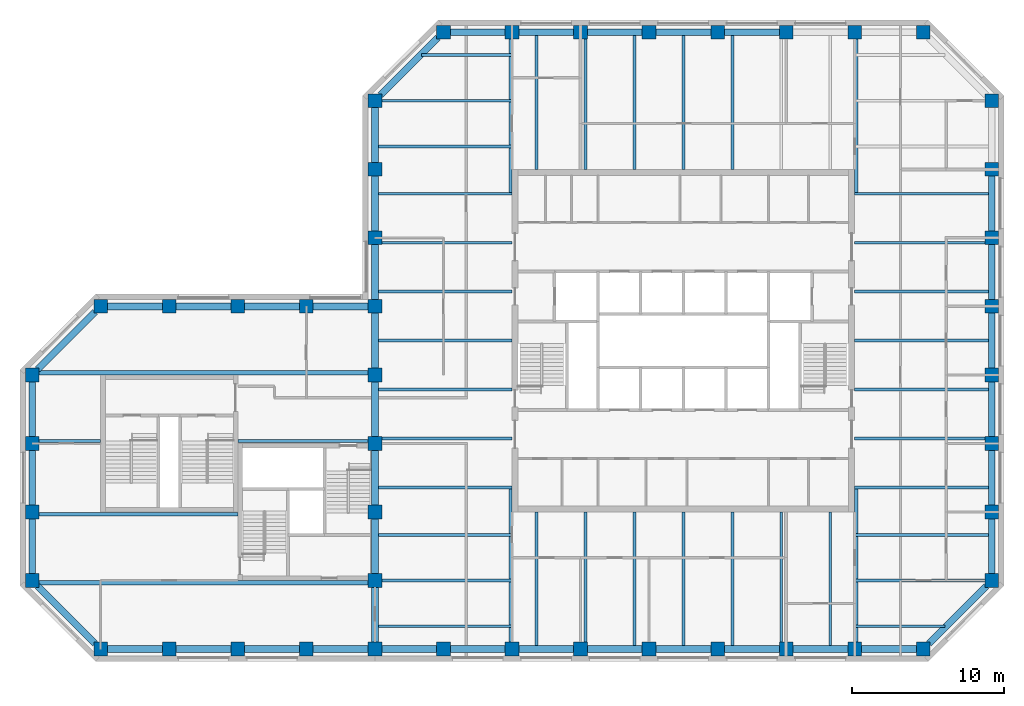
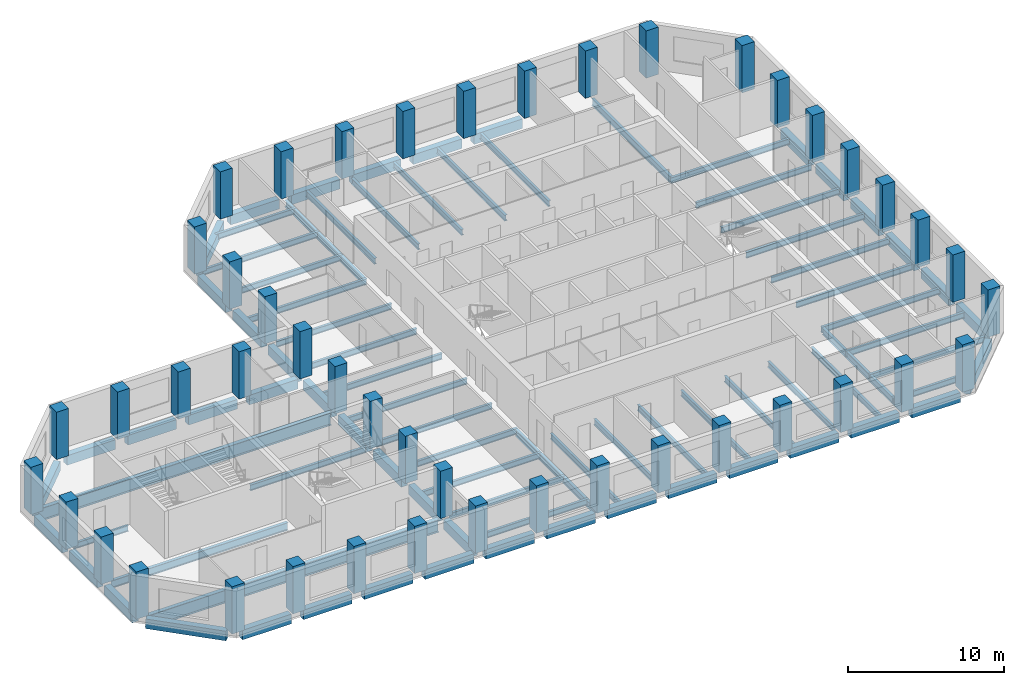
# One storey, part 1 of 9: 86 beams, 45 columns.
"""IFC4 building model written with IfcOpenShell, lengths in metres."""

import ifcopenshell
import ifcopenshell.guid

model = None  # the IFC model being written
_history = None  # IfcOwnerHistory: only IFC2X3 demands one
_inside = {}  # id of a spatial element -> (the spatial element, [elements in it])
_under = {}  # id of a project, library or spatial element -> (it, [spatial elements below it])
_declared = {}  # id of a project -> (the project, [libraries it declares])
_typed = {}  # id of a type object -> (the type object, [elements of that type])
_made_of = {}  # id of a material, layer set ... -> (it, [elements and type objects made of it])


def new_model(schema):
    """Start an empty IFC model of exactly this schema.

    Asked for "IFC4X3", IfcOpenShell would pick the latest addendum, in which some entities
    have other attributes; the version numbers below select the first issue.
    IFC2X3 requires an IfcOwnerHistory on every rooted entity: one is made here for all.
    """
    global model, _history
    if schema == "IFC4X3":
        model = ifcopenshell.file(schema_version=(4, 3, 0, 0))
    else:
        model = ifcopenshell.file(schema=schema)
    _inside.clear()
    _under.clear()
    _declared.clear()
    _typed.clear()
    _made_of.clear()
    _history = None
    if model.schema == "IFC2X3":
        org = make("IfcOrganization", Name="unknown")
        user = make(
            "IfcPersonAndOrganization",
            ThePerson=make("IfcPerson", FamilyName="unknown"),
            TheOrganization=org,
        )
        app = make(
            "IfcApplication",
            ApplicationDeveloper=org,
            Version="unknown",
            ApplicationFullName="unknown",
            ApplicationIdentifier="unknown",
        )
        _history = make(
            "IfcOwnerHistory",
            OwningUser=user,
            OwningApplication=app,
            ChangeAction="ADDED",
            CreationDate=0,
        )
    return model


def make(cls, **values):
    """One entity of the class cls with the attributes given. An attribute that is None is left unset."""
    return model.create_entity(
        cls, **{name: value for name, value in values.items() if value is not None}
    )


def rooted(cls, **values):
    """An entity with a GlobalId (a new one), such as an element, a storey or a relation."""
    return make(cls, GlobalId=ifcopenshell.guid.new(), OwnerHistory=_history, **values)


def si_unit(unit_type, name, prefix=None):
    """IfcSIUnit, for example si_unit("LENGTHUNIT", "METRE", prefix="MILLI")."""
    return make("IfcSIUnit", UnitType=unit_type, Prefix=prefix, Name=name)


def assignment(units):
    """IfcUnitAssignment: the units of a project."""
    return None if units is None else make("IfcUnitAssignment", Units=units)


def point(xyz):
    """IfcCartesianPoint."""
    return None if xyz is None else make("IfcCartesianPoint", Coordinates=xyz)


def direction(xyz):
    """IfcDirection."""
    return None if xyz is None else make("IfcDirection", DirectionRatios=xyz)


def frame(location, z_axis=None, x_axis=None):
    """IfcAxis2Placement3D, a coordinate frame: its origin and axes. An axis left out is left unset."""
    return make(
        "IfcAxis2Placement3D",
        Location=point(location),
        Axis=direction(z_axis),
        RefDirection=direction(x_axis),
    )


def frame_2d(location, x_axis=None):
    """IfcAxis2Placement2D, a coordinate frame in the plane: its origin and x axis."""
    return make(
        "IfcAxis2Placement2D", Location=point(location), RefDirection=direction(x_axis)
    )


def origin():
    """The frame at (0, 0, 0) with its axes left unset."""
    return frame((0.0, 0.0, 0.0))


def origin_2d():
    """The frame at (0, 0) in the plane with its x axis left unset."""
    return frame_2d((0.0, 0.0))


def place(relative_to, where):
    """IfcLocalPlacement: puts the frame where relative to a parent placement (None: the world)."""
    return make(
        "IfcLocalPlacement", PlacementRelTo=relative_to, RelativePlacement=where
    )


def context(
    kind, dimensions, precision=None, world=None, true_north=None, identifier=None
):
    """IfcGeometricRepresentationContext, for example the 3D "Model" context."""
    return make(
        "IfcGeometricRepresentationContext",
        ContextIdentifier=identifier,
        ContextType=kind,
        CoordinateSpaceDimension=dimensions,
        Precision=precision,
        WorldCoordinateSystem=world,
        TrueNorth=true_north,
    )


def subcontext(parent, identifier, kind, view, scale=None):
    """IfcGeometricRepresentationSubContext, for example "Body" below "Model"."""
    return make(
        "IfcGeometricRepresentationSubContext",
        ContextIdentifier=identifier,
        ContextType=kind,
        ParentContext=parent,
        TargetScale=scale,
        TargetView=view,
    )


def project(units=None, contexts=None):
    """IfcProject with its units and contexts."""
    return rooted(
        "IfcProject",
        Name="project",
        RepresentationContexts=contexts,
        UnitsInContext=assignment(units),
    )


def spatial(cls, under=None, at=None, **own):
    """A site, building, storey or space (cls), placed at a placement, below another one or the project."""
    s = rooted(cls, ObjectPlacement=at, **own)
    if under is not None:
        _under.setdefault(under.id(), (under, []))[1].append(s)
    return s


def profile(cls, at=None, kind="AREA", **sizes):
    """A parametric profile (cls). Its sizes go by their IFC names, for example OverallWidth=200.0."""
    return make(cls, ProfileType=kind, Position=at, **sizes)


def rectangle(**sizes):
    """IfcRectangleProfileDef."""
    return profile("IfcRectangleProfileDef", **sizes)


def i_section(**sizes):
    """IfcIShapeProfileDef."""
    return profile("IfcIShapeProfileDef", **sizes)


def extrude(swept, where, along, depth):
    """IfcExtrudedAreaSolid: the profile swept, set in the frame where, extruded along a direction by depth."""
    return make(
        "IfcExtrudedAreaSolid",
        SweptArea=swept,
        Position=where,
        ExtrudedDirection=direction(along),
        Depth=depth,
    )


def shape(context_of_items, identifier, shape_type, items):
    """IfcShapeRepresentation: the items that make up one representation, for example the "Body"."""
    return make(
        "IfcShapeRepresentation",
        ContextOfItems=context_of_items,
        RepresentationIdentifier=identifier,
        RepresentationType=shape_type,
        Items=items,
    )


def material(Name=None, Category=None):
    """IfcMaterial."""
    return make("IfcMaterial", Name=Name, Category=Category)


def material_profile(
    of_material, cross_section, Name=None, Category=None, Priority=None
):
    """IfcMaterialProfile: a cross section and its material."""
    return make(
        "IfcMaterialProfile",
        Name=Name,
        Material=of_material,
        Profile=cross_section,
        Priority=Priority,
        Category=Category,
    )


def profile_set(profiles, Name=None, composite=None):
    """IfcMaterialProfileSet."""
    return make(
        "IfcMaterialProfileSet",
        Name=Name,
        MaterialProfiles=profiles,
        CompositeProfile=composite,
    )


def made_of(thing, what):
    """Note that an element or type object is made of a material, layer set ...; save() writes the relation."""
    if what is not None:
        _made_of.setdefault(what.id(), (what, []))[1].append(thing)
    return thing


def type_object(cls, material=None, **own):
    """A type object (cls), such as IfcWallType, which elements share."""
    return made_of(rooted(cls, **own), material)


def element(
    cls,
    number,
    at=None,
    inside=None,
    cuts=None,
    type_object=None,
    material=None,
    context=None,
    identifier="Body",
    shape_type=None,
    held_by="IfcProductDefinitionShape",
    body=None,
    shapes=None,
    **own,
):
    """One element of the class cls, such as IfcWall. Its Tag is "e" and its number.

    at: its placement. inside: the storey or other place that contains it. cuts: it is an
    opening in that element (IfcRelVoidsElement). A single representation is given by context,
    identifier, shape_type and body (its items); several are given by shapes. held_by: the class
    of the entity that holds the representations. save() writes the other relations.
    """
    e = rooted(cls, Tag="e%d" % number, ObjectPlacement=at, **own)
    if body is not None:
        shapes = [shape(context, identifier, shape_type, body)]
    if shapes is not None:
        e.Representation = make(held_by, Representations=shapes)
    if inside is not None:
        _inside.setdefault(inside.id(), (inside, []))[1].append(e)
    if cuts is not None:
        rooted(
            "IfcRelVoidsElement", RelatingBuildingElement=cuts, RelatedOpeningElement=e
        )
    if type_object is not None:
        _typed.setdefault(type_object.id(), (type_object, []))[1].append(e)
    return made_of(e, material)


def aggregate(whole, parts):
    """IfcRelAggregates: a whole, such as a stair, and the parts it consists of."""
    return rooted("IfcRelAggregates", RelatingObject=whole, RelatedObjects=parts)


def save(model, path):
    """Write the relations noted so far, then the file.

    IfcRelAggregates (storeys below a building ...), IfcRelContainedInSpatialStructure (elements
    in a storey), IfcRelDefinesByType, IfcRelAssociatesMaterial and IfcRelDeclares: one each for
    every whole, place, type object, material and project.
    """
    for whole, parts in _under.values():
        aggregate(whole, parts)
    for where, things in _inside.values():
        rooted(
            "IfcRelContainedInSpatialStructure",
            RelatedElements=things,
            RelatingStructure=where,
        )
    for kind, things in _typed.values():
        rooted("IfcRelDefinesByType", RelatedObjects=things, RelatingType=kind)
    for what, things in _made_of.values():
        rooted("IfcRelAssociatesMaterial", RelatedObjects=things, RelatingMaterial=what)
    for by, libraries in _declared.values():
        rooted("IfcRelDeclares", RelatingContext=by, RelatedDefinitions=libraries)
    model.write(path)


model = new_model("IFC4")

# Units and contexts
model_context = context("Model", 3, precision=1e-05, world=origin(), true_north=direction((0.0, 1.0)))
body_context = subcontext(model_context, "Body", "Model", "MODEL_VIEW")
ifc_project = project(units=[si_unit("LENGTHUNIT", "METRE"), si_unit("AREAUNIT", "SQUARE_METRE"), si_unit("VOLUMEUNIT", "CUBIC_METRE"), si_unit("PLANEANGLEUNIT", "RADIAN"), si_unit("MASSUNIT", "GRAM", prefix="KILO")], contexts=[model_context])

# Site, building, storey
site_placement = place(None, origin())
site = spatial("IfcSite", under=ifc_project, at=site_placement, CompositionType="ELEMENT")
building_placement = place(site_placement, origin())
building = spatial("IfcBuilding", under=site, at=building_placement, Name="Quoin Convention Tower", CompositionType="ELEMENT")
storey_placement = place(building_placement, frame((0.0, 0.0, 181.0)))
storey = spatial("IfcBuildingStorey", under=building, at=storey_placement, Name="L47", CompositionType="ELEMENT", Elevation=181.0)

# Columns
ifc_material_1 = material(Name="Concrete C50", Category="concrete")
ifc_material_profile_1 = material_profile(ifc_material_1, rectangle(XDim=0.89990234375, YDim=0.89990234375, at=origin_2d()), Name="RC 900x900")
ifc_profile_set_1 = profile_set([ifc_material_profile_1], Name="Concrete C50")
column_type = type_object("IfcColumnType", Name="RC 900x900 C50", PredefinedType="COLUMN", material=ifc_profile_set_1)
for number, where, z_axis, x_axis, name in (
    (1, (18.0, 40.5, 0.0), (0.0, 0.0, 1.0), (1.0, 0.0, 0.0), "col-L47-18000_40500"),
    (2, (22.5, 40.5, 0.0), (0.0, 0.0, 1.0), (1.0, 0.0, 0.0), "col-L47-22500_40500"),
    (3, (27.0, 40.5, 0.0), (0.0, 0.0, 1.0), (1.0, 0.0, 0.0), "col-L47-27000_40500"),
    (4, (31.5, 40.5, 0.0), (0.0, 0.0, 1.0), (1.0, 0.0, 0.0), "col-L47-31500_40500"),
    (5, (36.0, 40.5, 0.0), (0.0, 0.0, 1.0), (1.0, 0.0, 0.0), "col-L47-36000_40500"),
    (6, (40.5, 40.5, 0.0), (0.0, 0.0, 1.0), (1.0, 0.0, 0.0), "col-L47-40500_40500"),
    (7, (45.0, 40.5, 0.0), (0.0, 0.0, 1.0), (1.0, 0.0, 0.0), "col-L47-45000_40500"),
    (8, (49.5, 40.5, 0.0), (0.0, 0.0, 1.0), (1.0, 0.0, 0.0), "col-L47-49500_40500"),
    (9, (54.0, 40.5, 0.0), (0.0, 0.0, 1.0), (1.0, 0.0, 0.0), "col-L47-54000_40500"),
    (10, (58.5, 40.5, 0.0), (0.0, 0.0, 1.0), (1.0, 0.0, 0.0), "col-L47-58500_40500"),
    (11, (63.0, 40.5, 0.0), (0.0, 0.0, 1.0), (1.0, 0.0, 0.0), "col-L47-63000_40500"),
    (12, (67.5, 40.5, 0.0), (0.0, 0.0, 1.0), (1.0, 0.0, 0.0), "col-L47-67500_40500"),
    (13, (72.0, 40.5, 0.0), (0.0, 0.0, 1.0), (1.0, 0.0, 0.0), "col-L47-72000_40500"),
    (14, (13.5, 45.0, 0.0), (0.0, 0.0, 1.0), (1.0, 0.0, 0.0), "col-L47-13500_45000"),
    (15, (36.0, 45.0, 0.0), (0.0, 0.0, 1.0), (1.0, 0.0, 0.0), "web-L47-36000_45000"),
    (16, (76.5, 45.0, 0.0), (0.0, 0.0, 1.0), (1.0, 0.0, 0.0), "col-L47-76500_45000"),
    (17, (13.5, 49.5, 0.0), (0.0, 0.0, 1.0), (1.0, 0.0, 0.0), "col-L47-13500_49500"),
    (18, (36.0, 49.5, 0.0), (0.0, 0.0, 1.0), (1.0, 0.0, 0.0), "web-L47-36000_49500"),
    (19, (76.5, 49.5, 0.0), (0.0, 0.0, 1.0), (1.0, 0.0, 0.0), "col-L47-76500_49500"),
    (20, (13.5, 54.0, 0.0), (0.0, 0.0, 1.0), (1.0, 0.0, 0.0), "col-L47-13500_54000"),
    (21, (36.0, 54.0, 0.0), (0.0, 0.0, 1.0), (1.0, 0.0, 0.0), "web-L47-36000_54000"),
    (22, (76.5, 54.0, 0.0), (0.0, 0.0, 1.0), (1.0, 0.0, 0.0), "col-L47-76500_54000"),
    (23, (13.5, 58.5, 0.0), (0.0, 0.0, 1.0), (1.0, 0.0, 0.0), "col-L47-13500_58500"),
    (24, (36.0, 58.5, 0.0), (0.0, 0.0, 1.0), (1.0, 0.0, 0.0), "web-L47-36000_58500"),
    (25, (76.5, 58.5, 0.0), (0.0, 0.0, 1.0), (1.0, 0.0, 0.0), "col-L47-76500_58500"),
    (26, (18.0, 63.0, 0.0), (0.0, 0.0, 1.0), (1.0, 0.0, 0.0), "col-L47-18000_63000"),
    (27, (22.5, 63.0, 0.0), (0.0, 0.0, 1.0), (1.0, 0.0, 0.0), "col-L47-22500_63000"),
    (28, (27.0, 63.0, 0.0), (0.0, 0.0, 1.0), (1.0, 0.0, 0.0), "col-L47-27000_63000"),
    (29, (31.5, 63.0, 0.0), (0.0, 0.0, 1.0), (1.0, 0.0, 0.0), "col-L47-31500_63000"),
    (30, (36.0, 63.0, 0.0), (0.0, 0.0, 1.0), (1.0, 0.0, 0.0), "col-L47-36000_63000"),
    (31, (76.5, 63.0, 0.0), (0.0, 0.0, 1.0), (1.0, 0.0, 0.0), "col-L47-76500_63000"),
    (32, (36.0, 67.5, 0.0), (0.0, 0.0, 1.0), (1.0, 0.0, 0.0), "col-L47-36000_67500"),
    (33, (76.5, 67.5, 0.0), (0.0, 0.0, 1.0), (1.0, 0.0, 0.0), "col-L47-76500_67500"),
    (34, (36.0, 72.0, 0.0), (0.0, 0.0, 1.0), (1.0, 0.0, 0.0), "col-L47-36000_72000"),
    (35, (76.5, 72.0, 0.0), (0.0, 0.0, 1.0), (1.0, 0.0, 0.0), "col-L47-76500_72000"),
    (36, (36.0, 76.5, 0.0), (0.0, 0.0, 1.0), (1.0, 0.0, 0.0), "col-L47-36000_76500"),
    (37, (76.5, 76.5, 0.0), (0.0, 0.0, 1.0), (1.0, 0.0, 0.0), "col-L47-76500_76500"),
    (38, (40.5, 81.0, 0.0), (0.0, 0.0, 1.0), (1.0, 0.0, 0.0), "col-L47-40500_81000"),
    (39, (45.0, 81.0, 0.0), (0.0, 0.0, 1.0), (1.0, 0.0, 0.0), "col-L47-45000_81000"),
    (40, (49.5, 81.0, 0.0), (0.0, 0.0, 1.0), (1.0, 0.0, 0.0), "col-L47-49500_81000"),
    (41, (54.0, 81.0, 0.0), (0.0, 0.0, 1.0), (1.0, 0.0, 0.0), "col-L47-54000_81000"),
    (42, (58.5, 81.0, 0.0), (0.0, 0.0, 1.0), (1.0, 0.0, 0.0), "col-L47-58500_81000"),
    (43, (63.0, 81.0, 0.0), (0.0, 0.0, 1.0), (1.0, 0.0, 0.0), "col-L47-63000_81000"),
    (44, (67.5, 81.0, 0.0), (0.0, 0.0, 1.0), (1.0, 0.0, 0.0), "col-L47-67500_81000"),
    (45, (72.0, 81.0, 0.0), (0.0, 0.0, 1.0), (1.0, 0.0, 0.0), "col-L47-72000_81000"),
):
    element("IfcColumn", number, at=place(storey_placement, frame(where, z_axis=z_axis, x_axis=x_axis)), inside=storey, type_object=column_type, Name=name, PredefinedType="COLUMN", context=body_context, shape_type="SweptSolid", body=[
        extrude(rectangle(XDim=0.89990234375, YDim=0.89990234375, at=origin_2d()), origin(), (0.0, 0.0, 1.0), 3.699951171875),
    ])

# Beams
ifc_material_2 = material(Name="Steel Grade 300", Category="steel")
ifc_material_profile_2 = material_profile(ifc_material_2, i_section(OverallWidth=0.300048828125, OverallDepth=1.0, WebThickness=0.01611328125, FlangeThickness=0.02001953125, at=origin_2d()), Name="1000WB215")
ifc_profile_set_2 = profile_set([ifc_material_profile_2], Name="Steel Grade 300")
beam_type_1 = type_object("IfcBeamType", Name="1000WB215", PredefinedType="BEAM", material=ifc_profile_set_2)
for number, where, z_axis, x_axis, name in (
    (46, (13.949951171875, 44.85009765625, -0.64990234375), (1.0, 0.0, 0.0), (0.0, 1.0, 0.0), "gir-L47-ST2-1-0"),
    (47, (13.949951171875, 58.64990234375, -0.64990234375), (1.0, 0.0, 0.0), (0.0, 1.0, 0.0), "gir-L47-ST2-4-0"),
):
    element("IfcBeam", number, at=place(storey_placement, frame(where, z_axis=z_axis, x_axis=x_axis)), inside=storey, type_object=beam_type_1, Name=name, PredefinedType="BEAM", context=body_context, shape_type="SweptSolid", body=[
        extrude(i_section(OverallWidth=0.300048828125, OverallDepth=1.0, WebThickness=0.01611328125, FlangeThickness=0.02001953125, at=origin_2d()), origin(), (0.0, 0.0, 1.0), 21.60009765625),
    ])
ifc_material_profile_3 = material_profile(ifc_material_2, i_section(OverallWidth=0.18994140625, OverallDepth=0.4541015625, WebThickness=0.008544921875, FlangeThickness=0.0126953125, FilletRadius=0.011474609375, at=origin_2d()), Name="460UB67.1")
ifc_profile_set_3 = profile_set([ifc_material_profile_3], Name="Steel Grade 300")
beam_type_2 = type_object("IfcBeamType", Name="460UB67.1", PredefinedType="BEAM", material=ifc_profile_set_3)
beam_1_placement = place(storey_placement, frame((36.22509765625, 51.107177734375, -0.376953125), z_axis=(1.0, 0.0, 0.0), x_axis=(0.0, 1.0, 0.0)))
element("IfcBeam", 48, at=beam_1_placement, inside=storey, type_object=beam_type_2, Name="bm-L47-T1W0", PredefinedType="BEAM", context=body_context, shape_type="SweptSolid", body=[
    extrude(i_section(OverallWidth=0.18994140625, OverallDepth=0.4541015625, WebThickness=0.008544921875, FlangeThickness=0.0126953125, FilletRadius=0.011474609375, at=origin_2d()), origin(), (0.0, 0.0, 1.0), 8.77490234375),
])
beam_2_placement = place(storey_placement, frame((36.449951171875, 54.3212890625, -0.376953125), z_axis=(1.0, 0.0, 0.0), x_axis=(0.0, 1.0, 0.0)))
element("IfcBeam", 49, at=beam_2_placement, inside=storey, type_object=beam_type_2, Name="bm-L47-T1W1", PredefinedType="BEAM", context=body_context, shape_type="SweptSolid", body=[
    extrude(i_section(OverallWidth=0.18994140625, OverallDepth=0.4541015625, WebThickness=0.008544921875, FlangeThickness=0.0126953125, FilletRadius=0.011474609375, at=origin_2d()), origin(), (0.0, 0.0, 1.0), 8.550048828125),
])
for number, where, z_axis, x_axis, name in (
    (50, (36.22509765625, 57.53564453125, -0.376953125), (1.0, 0.0, 0.0), (0.0, 1.0, 0.0), "bm-L47-T1W2"),
    (51, (36.22509765625, 60.75, -0.376953125), (1.0, 0.0, 0.0), (0.0, 1.0, 0.0), "bm-L47-T1W3"),
    (52, (36.22509765625, 63.96435546875, -0.376953125), (1.0, 0.0, 0.0), (0.0, 1.0, 0.0), "bm-L47-T1W4"),
):
    element("IfcBeam", number, at=place(storey_placement, frame(where, z_axis=z_axis, x_axis=x_axis)), inside=storey, type_object=beam_type_2, Name=name, PredefinedType="BEAM", context=body_context, shape_type="SweptSolid", body=[
        extrude(i_section(OverallWidth=0.18994140625, OverallDepth=0.4541015625, WebThickness=0.008544921875, FlangeThickness=0.0126953125, FilletRadius=0.011474609375, at=origin_2d()), origin(), (0.0, 0.0, 1.0), 8.77490234375),
    ])
beam_3_placement = place(storey_placement, frame((36.449951171875, 67.1787109375, -0.376953125), z_axis=(1.0, 0.0, 0.0), x_axis=(0.0, 1.0, 0.0)))
element("IfcBeam", 53, at=beam_3_placement, inside=storey, type_object=beam_type_2, Name="bm-L47-T1W5", PredefinedType="BEAM", context=body_context, shape_type="SweptSolid", body=[
    extrude(i_section(OverallWidth=0.18994140625, OverallDepth=0.4541015625, WebThickness=0.008544921875, FlangeThickness=0.0126953125, FilletRadius=0.011474609375, at=origin_2d()), origin(), (0.0, 0.0, 1.0), 8.550048828125),
])
for number, where, z_axis, x_axis, name in (
    (54, (36.22509765625, 70.392822265625, -0.376953125), (1.0, 0.0, 0.0), (0.0, 1.0, 0.0), "bm-L47-T1W6"),
    (55, (67.5, 51.107177734375, -0.376953125), (1.0, 0.0, 0.0), (0.0, 1.0, 0.0), "bm-L47-T1E0"),
):
    element("IfcBeam", number, at=place(storey_placement, frame(where, z_axis=z_axis, x_axis=x_axis)), inside=storey, type_object=beam_type_2, Name=name, PredefinedType="BEAM", context=body_context, shape_type="SweptSolid", body=[
        extrude(i_section(OverallWidth=0.18994140625, OverallDepth=0.4541015625, WebThickness=0.008544921875, FlangeThickness=0.0126953125, FilletRadius=0.011474609375, at=origin_2d()), origin(), (0.0, 0.0, 1.0), 8.77490234375),
    ])
beam_4_placement = place(storey_placement, frame((67.5, 54.3212890625, -0.376953125), z_axis=(1.0, 0.0, 0.0), x_axis=(0.0, 1.0, 0.0)))
element("IfcBeam", 56, at=beam_4_placement, inside=storey, type_object=beam_type_2, Name="bm-L47-T1E1", PredefinedType="BEAM", context=body_context, shape_type="SweptSolid", body=[
    extrude(i_section(OverallWidth=0.18994140625, OverallDepth=0.4541015625, WebThickness=0.008544921875, FlangeThickness=0.0126953125, FilletRadius=0.011474609375, at=origin_2d()), origin(), (0.0, 0.0, 1.0), 8.550048828125),
])
for number, where, z_axis, x_axis, name in (
    (57, (67.5, 57.53564453125, -0.376953125), (1.0, 0.0, 0.0), (0.0, 1.0, 0.0), "bm-L47-T1E2"),
    (58, (67.5, 60.75, -0.376953125), (1.0, 0.0, 0.0), (0.0, 1.0, 0.0), "bm-L47-T1E3"),
    (59, (67.5, 63.96435546875, -0.376953125), (1.0, 0.0, 0.0), (0.0, 1.0, 0.0), "bm-L47-T1E4"),
):
    element("IfcBeam", number, at=place(storey_placement, frame(where, z_axis=z_axis, x_axis=x_axis)), inside=storey, type_object=beam_type_2, Name=name, PredefinedType="BEAM", context=body_context, shape_type="SweptSolid", body=[
        extrude(i_section(OverallWidth=0.18994140625, OverallDepth=0.4541015625, WebThickness=0.008544921875, FlangeThickness=0.0126953125, FilletRadius=0.011474609375, at=origin_2d()), origin(), (0.0, 0.0, 1.0), 8.77490234375),
    ])
beam_5_placement = place(storey_placement, frame((67.5, 67.1787109375, -0.376953125), z_axis=(1.0, 0.0, 0.0), x_axis=(0.0, 1.0, 0.0)))
element("IfcBeam", 60, at=beam_5_placement, inside=storey, type_object=beam_type_2, Name="bm-L47-T1E5", PredefinedType="BEAM", context=body_context, shape_type="SweptSolid", body=[
    extrude(i_section(OverallWidth=0.18994140625, OverallDepth=0.4541015625, WebThickness=0.008544921875, FlangeThickness=0.0126953125, FilletRadius=0.011474609375, at=origin_2d()), origin(), (0.0, 0.0, 1.0), 8.550048828125),
])
for number, where, z_axis, x_axis, name in (
    (61, (67.5, 70.392822265625, -0.376953125), (1.0, 0.0, 0.0), (0.0, 1.0, 0.0), "bm-L47-T1E6"),
    (62, (46.607177734375, 40.72509765625, -0.376953125), (0.0, 1.0, 0.0), (-1.0, 0.0, 0.0), "bm-L47-T1S0"),
):
    element("IfcBeam", number, at=place(storey_placement, frame(where, z_axis=z_axis, x_axis=x_axis)), inside=storey, type_object=beam_type_2, Name=name, PredefinedType="BEAM", context=body_context, shape_type="SweptSolid", body=[
        extrude(i_section(OverallWidth=0.18994140625, OverallDepth=0.4541015625, WebThickness=0.008544921875, FlangeThickness=0.0126953125, FilletRadius=0.011474609375, at=origin_2d()), origin(), (0.0, 0.0, 1.0), 8.77490234375),
    ])
beam_6_placement = place(storey_placement, frame((49.8212890625, 40.949951171875, -0.376953125), z_axis=(0.0, 1.0, 0.0), x_axis=(-1.0, 0.0, 0.0)))
element("IfcBeam", 63, at=beam_6_placement, inside=storey, type_object=beam_type_2, Name="bm-L47-T1S1", PredefinedType="BEAM", context=body_context, shape_type="SweptSolid", body=[
    extrude(i_section(OverallWidth=0.18994140625, OverallDepth=0.4541015625, WebThickness=0.008544921875, FlangeThickness=0.0126953125, FilletRadius=0.011474609375, at=origin_2d()), origin(), (0.0, 0.0, 1.0), 8.550048828125),
])
for number, where, z_axis, x_axis, name in (
    (64, (53.03564453125, 40.72509765625, -0.376953125), (0.0, 1.0, 0.0), (-1.0, 0.0, 0.0), "bm-L47-T1S2"),
    (65, (56.25, 40.72509765625, -0.376953125), (0.0, 1.0, 0.0), (-1.0, 0.0, 0.0), "bm-L47-T1S3"),
    (66, (59.46435546875, 40.72509765625, -0.376953125), (0.0, 1.0, 0.0), (-1.0, 0.0, 0.0), "bm-L47-T1S4"),
):
    element("IfcBeam", number, at=place(storey_placement, frame(where, z_axis=z_axis, x_axis=x_axis)), inside=storey, type_object=beam_type_2, Name=name, PredefinedType="BEAM", context=body_context, shape_type="SweptSolid", body=[
        extrude(i_section(OverallWidth=0.18994140625, OverallDepth=0.4541015625, WebThickness=0.008544921875, FlangeThickness=0.0126953125, FilletRadius=0.011474609375, at=origin_2d()), origin(), (0.0, 0.0, 1.0), 8.77490234375),
    ])
beam_7_placement = place(storey_placement, frame((62.6787109375, 40.949951171875, -0.376953125), z_axis=(0.0, 1.0, 0.0), x_axis=(-1.0, 0.0, 0.0)))
element("IfcBeam", 67, at=beam_7_placement, inside=storey, type_object=beam_type_2, Name="bm-L47-T1S5", PredefinedType="BEAM", context=body_context, shape_type="SweptSolid", body=[
    extrude(i_section(OverallWidth=0.18994140625, OverallDepth=0.4541015625, WebThickness=0.008544921875, FlangeThickness=0.0126953125, FilletRadius=0.011474609375, at=origin_2d()), origin(), (0.0, 0.0, 1.0), 8.550048828125),
])
for number, where, z_axis, x_axis, name in (
    (68, (65.892822265625, 40.72509765625, -0.376953125), (0.0, 1.0, 0.0), (-1.0, 0.0, 0.0), "bm-L47-T1S6"),
    (69, (46.607177734375, 72.0, -0.376953125), (0.0, 1.0, 0.0), (-1.0, 0.0, 0.0), "bm-L47-T1N0"),
):
    element("IfcBeam", number, at=place(storey_placement, frame(where, z_axis=z_axis, x_axis=x_axis)), inside=storey, type_object=beam_type_2, Name=name, PredefinedType="BEAM", context=body_context, shape_type="SweptSolid", body=[
        extrude(i_section(OverallWidth=0.18994140625, OverallDepth=0.4541015625, WebThickness=0.008544921875, FlangeThickness=0.0126953125, FilletRadius=0.011474609375, at=origin_2d()), origin(), (0.0, 0.0, 1.0), 8.77490234375),
    ])
beam_8_placement = place(storey_placement, frame((49.8212890625, 72.0, -0.376953125), z_axis=(0.0, 1.0, 0.0), x_axis=(-1.0, 0.0, 0.0)))
element("IfcBeam", 70, at=beam_8_placement, inside=storey, type_object=beam_type_2, Name="bm-L47-T1N1", PredefinedType="BEAM", context=body_context, shape_type="SweptSolid", body=[
    extrude(i_section(OverallWidth=0.18994140625, OverallDepth=0.4541015625, WebThickness=0.008544921875, FlangeThickness=0.0126953125, FilletRadius=0.011474609375, at=origin_2d()), origin(), (0.0, 0.0, 1.0), 8.550048828125),
])
for number, where, z_axis, x_axis, name in (
    (71, (53.03564453125, 72.0, -0.376953125), (0.0, 1.0, 0.0), (-1.0, 0.0, 0.0), "bm-L47-T1N2"),
    (72, (56.25, 72.0, -0.376953125), (0.0, 1.0, 0.0), (-1.0, 0.0, 0.0), "bm-L47-T1N3"),
    (73, (59.46435546875, 72.0, -0.376953125), (0.0, 1.0, 0.0), (-1.0, 0.0, 0.0), "bm-L47-T1N4"),
    (74, (36.22509765625, 42.0, -0.376953125), (1.0, 0.0, 0.0), (0.0, 1.0, 0.0), "bm-L47-T1SW0"),
):
    element("IfcBeam", number, at=place(storey_placement, frame(where, z_axis=z_axis, x_axis=x_axis)), inside=storey, type_object=beam_type_2, Name=name, PredefinedType="BEAM", context=body_context, shape_type="SweptSolid", body=[
        extrude(i_section(OverallWidth=0.18994140625, OverallDepth=0.4541015625, WebThickness=0.008544921875, FlangeThickness=0.0126953125, FilletRadius=0.011474609375, at=origin_2d()), origin(), (0.0, 0.0, 1.0), 8.77490234375),
    ])
beam_9_placement = place(storey_placement, frame((36.449951171875, 45.0, -0.376953125), z_axis=(1.0, 0.0, 0.0), x_axis=(0.0, 1.0, 0.0)))
element("IfcBeam", 75, at=beam_9_placement, inside=storey, type_object=beam_type_2, Name="bm-L47-T1SW1", PredefinedType="BEAM", context=body_context, shape_type="SweptSolid", body=[
    extrude(i_section(OverallWidth=0.18994140625, OverallDepth=0.4541015625, WebThickness=0.008544921875, FlangeThickness=0.0126953125, FilletRadius=0.011474609375, at=origin_2d()), origin(), (0.0, 0.0, 1.0), 8.550048828125),
])
beam_10_placement = place(storey_placement, frame((36.22509765625, 48.0, -0.376953125), z_axis=(1.0, 0.0, 0.0), x_axis=(0.0, 1.0, 0.0)))
element("IfcBeam", 76, at=beam_10_placement, inside=storey, type_object=beam_type_2, Name="bm-L47-T1SW2", PredefinedType="BEAM", context=body_context, shape_type="SweptSolid", body=[
    extrude(i_section(OverallWidth=0.18994140625, OverallDepth=0.4541015625, WebThickness=0.008544921875, FlangeThickness=0.0126953125, FilletRadius=0.011474609375, at=origin_2d()), origin(), (0.0, 0.0, 1.0), 8.77490234375),
])
beam_11_placement = place(storey_placement, frame((67.5, 42.0, -0.376953125), z_axis=(1.0, 0.0, 0.0), x_axis=(0.0, 1.0, 0.0)))
element("IfcBeam", 77, at=beam_11_placement, inside=storey, type_object=beam_type_2, Name="bm-L47-T1SE0", PredefinedType="BEAM", context=body_context, shape_type="SweptSolid", body=[
    extrude(i_section(OverallWidth=0.18994140625, OverallDepth=0.4541015625, WebThickness=0.008544921875, FlangeThickness=0.0126953125, FilletRadius=0.011474609375, at=origin_2d()), origin(), (0.0, 0.0, 1.0), 5.935791015625),
])
beam_12_placement = place(storey_placement, frame((67.5, 45.0, -0.376953125), z_axis=(1.0, 0.0, 0.0), x_axis=(0.0, 1.0, 0.0)))
element("IfcBeam", 78, at=beam_12_placement, inside=storey, type_object=beam_type_2, Name="bm-L47-T1SE1", PredefinedType="BEAM", context=body_context, shape_type="SweptSolid", body=[
    extrude(i_section(OverallWidth=0.18994140625, OverallDepth=0.4541015625, WebThickness=0.008544921875, FlangeThickness=0.0126953125, FilletRadius=0.011474609375, at=origin_2d()), origin(), (0.0, 0.0, 1.0), 8.550048828125),
])
beam_13_placement = place(storey_placement, frame((67.5, 48.0, -0.376953125), z_axis=(1.0, 0.0, 0.0), x_axis=(0.0, 1.0, 0.0)))
element("IfcBeam", 79, at=beam_13_placement, inside=storey, type_object=beam_type_2, Name="bm-L47-T1SE2", PredefinedType="BEAM", context=body_context, shape_type="SweptSolid", body=[
    extrude(i_section(OverallWidth=0.18994140625, OverallDepth=0.4541015625, WebThickness=0.008544921875, FlangeThickness=0.0126953125, FilletRadius=0.011474609375, at=origin_2d()), origin(), (0.0, 0.0, 1.0), 8.77490234375),
])
beam_14_placement = place(storey_placement, frame((39.064208984375, 79.5, -0.376953125), z_axis=(1.0, 0.0, 0.0), x_axis=(0.0, 1.0, 0.0)))
element("IfcBeam", 80, at=beam_14_placement, inside=storey, type_object=beam_type_2, Name="bm-L47-T1NW0", PredefinedType="BEAM", context=body_context, shape_type="SweptSolid", body=[
    extrude(i_section(OverallWidth=0.18994140625, OverallDepth=0.4541015625, WebThickness=0.008544921875, FlangeThickness=0.0126953125, FilletRadius=0.011474609375, at=origin_2d()), origin(), (0.0, 0.0, 1.0), 5.935791015625),
])
beam_15_placement = place(storey_placement, frame((36.449951171875, 76.5, -0.376953125), z_axis=(1.0, 0.0, 0.0), x_axis=(0.0, 1.0, 0.0)))
element("IfcBeam", 81, at=beam_15_placement, inside=storey, type_object=beam_type_2, Name="bm-L47-T1NW1", PredefinedType="BEAM", context=body_context, shape_type="SweptSolid", body=[
    extrude(i_section(OverallWidth=0.18994140625, OverallDepth=0.4541015625, WebThickness=0.008544921875, FlangeThickness=0.0126953125, FilletRadius=0.011474609375, at=origin_2d()), origin(), (0.0, 0.0, 1.0), 8.550048828125),
])
beam_16_placement = place(storey_placement, frame((36.22509765625, 73.5, -0.376953125), z_axis=(1.0, 0.0, 0.0), x_axis=(0.0, 1.0, 0.0)))
element("IfcBeam", 82, at=beam_16_placement, inside=storey, type_object=beam_type_2, Name="bm-L47-T1NW2", PredefinedType="BEAM", context=body_context, shape_type="SweptSolid", body=[
    extrude(i_section(OverallWidth=0.18994140625, OverallDepth=0.4541015625, WebThickness=0.008544921875, FlangeThickness=0.0126953125, FilletRadius=0.011474609375, at=origin_2d()), origin(), (0.0, 0.0, 1.0), 8.77490234375),
])
beam_17_placement = place(storey_placement, frame((13.949951171875, 54.14990234375, -0.376953125), z_axis=(1.0, 0.0, 0.0), x_axis=(0.0, 1.0, 0.0)))
element("IfcBeam", 83, at=beam_17_placement, inside=storey, type_object=beam_type_2, Name="gir-L47-ST2-3-0", PredefinedType="BEAM", context=body_context, shape_type="SweptSolid", body=[
    extrude(i_section(OverallWidth=0.18994140625, OverallDepth=0.4541015625, WebThickness=0.008544921875, FlangeThickness=0.0126953125, FilletRadius=0.011474609375, at=origin_2d()), origin(), (0.0, 0.0, 1.0), 4.050048828125),
])
beam_18_placement = place(storey_placement, frame((27.0, 54.14990234375, -0.376953125), z_axis=(1.0, 0.0, 0.0), x_axis=(0.0, 1.0, 0.0)))
element("IfcBeam", 84, at=beam_18_placement, inside=storey, type_object=beam_type_2, Name="gir-L47-ST2-3-1", PredefinedType="BEAM", context=body_context, shape_type="SweptSolid", body=[
    extrude(i_section(OverallWidth=0.18994140625, OverallDepth=0.4541015625, WebThickness=0.008544921875, FlangeThickness=0.0126953125, FilletRadius=0.011474609375, at=origin_2d()), origin(), (0.0, 0.0, 1.0), 8.550048828125),
])
ifc_material_profile_4 = material_profile(ifc_material_2, i_section(OverallWidth=0.208984375, OverallDepth=0.528076171875, WebThickness=0.009521484375, FlangeThickness=0.01318359375, FilletRadius=0.013916015625, at=origin_2d()), Name="530UB82.0")
ifc_profile_set_4 = profile_set([ifc_material_profile_4], Name="Steel Grade 300")
beam_type_3 = type_object("IfcBeamType", Name="530UB82.0", PredefinedType="BEAM", material=ifc_profile_set_4)
for number, where, z_axis, x_axis, name in (
    (85, (44.904541015625, 40.949951171875, -0.4140625), (0.0, 1.0, 0.0), (-1.0, 0.0, 0.0), "gir-L47-T1SW"),
    (86, (67.595458984375, 40.949951171875, -0.4140625), (0.0, 1.0, 0.0), (-1.0, 0.0, 0.0), "gir-L47-T1SE"),
    (87, (44.904541015625, 80.550048828125, -0.4140625), (0.0, -1.0, 0.0), (1.0, 0.0, 0.0), "gir-L47-T1NW"),
    (88, (67.595458984375, 80.550048828125, -0.4140625), (0.0, -1.0, 0.0), (1.0, 0.0, 0.0), "gir-L47-T1NE"),
):
    element("IfcBeam", number, at=place(storey_placement, frame(where, z_axis=z_axis, x_axis=x_axis)), inside=storey, type_object=beam_type_3, Name=name, PredefinedType="BEAM", context=body_context, shape_type="SweptSolid", body=[
        extrude(i_section(OverallWidth=0.208984375, OverallDepth=0.528076171875, WebThickness=0.009521484375, FlangeThickness=0.01318359375, FilletRadius=0.013916015625, at=origin_2d()), origin(), (0.0, 0.0, 1.0), 10.062255859375),
    ])
ifc_material_profile_5 = material_profile(ifc_material_2, i_section(OverallWidth=0.22802734375, OverallDepth=0.60205078125, WebThickness=0.010498046875, FlangeThickness=0.014892578125, FilletRadius=0.013916015625, at=origin_2d()), Name="610UB101")
ifc_profile_set_5 = profile_set([ifc_material_profile_5], Name="Steel Grade 300")
beam_type_4 = type_object("IfcBeamType", Name="610UB101", PredefinedType="BEAM", material=ifc_profile_set_5)
beam_19_placement = place(storey_placement, frame((13.949951171875, 49.35009765625, -0.450927734375), z_axis=(1.0, 0.0, 0.0), x_axis=(0.0, 1.0, 0.0)))
element("IfcBeam", 89, at=beam_19_placement, inside=storey, type_object=beam_type_4, Name="gir-L47-ST2-2-0", PredefinedType="BEAM", context=body_context, shape_type="SweptSolid", body=[
    extrude(i_section(OverallWidth=0.22802734375, OverallDepth=0.60205078125, WebThickness=0.010498046875, FlangeThickness=0.014892578125, FilletRadius=0.013916015625, at=origin_2d()), origin(), (0.0, 0.0, 1.0), 13.050048828125),
])
ifc_material_profile_6 = material_profile(ifc_material_1, rectangle(XDim=0.449951171875, YDim=0.75, at=origin_2d()), Name="RC 450x750")
ifc_profile_set_6 = profile_set([ifc_material_profile_6], Name="Concrete C50")
beam_type_5 = type_object("IfcBeamType", Name="RC 450x750 C50", PredefinedType="SPANDREL", material=ifc_profile_set_6)
for number, where, z_axis, x_axis, name in (
    (90, (36.449951171875, 40.5, -0.52490234375), (1.0, 0.0, 0.0), (0.0, 1.0, 0.0), "spd-L47-36000_40500-40500_40500"),
    (91, (40.949951171875, 40.5, -0.52490234375), (1.0, 0.0, 0.0), (0.0, 1.0, 0.0), "spd-L47-40500_40500-45000_40500"),
    (92, (45.449951171875, 40.5, -0.52490234375), (1.0, 0.0, 0.0), (0.0, 1.0, 0.0), "spd-L47-45000_40500-49500_40500"),
    (93, (49.949951171875, 40.5, -0.52490234375), (1.0, 0.0, 0.0), (0.0, 1.0, 0.0), "spd-L47-49500_40500-54000_40500"),
    (94, (54.449951171875, 40.5, -0.52490234375), (1.0, 0.0, 0.0), (0.0, 1.0, 0.0), "spd-L47-54000_40500-58500_40500"),
    (95, (58.949951171875, 40.5, -0.52490234375), (1.0, 0.0, 0.0), (0.0, 1.0, 0.0), "spd-L47-58500_40500-63000_40500"),
    (96, (63.449951171875, 40.5, -0.52490234375), (1.0, 0.0, 0.0), (0.0, 1.0, 0.0), "spd-L47-63000_40500-67500_40500"),
    (97, (67.949951171875, 40.5, -0.52490234375), (1.0, 0.0, 0.0), (0.0, 1.0, 0.0), "spd-L47-67500_40500-72000_40500"),
):
    element("IfcBeam", number, at=place(storey_placement, frame(where, z_axis=z_axis, x_axis=x_axis)), inside=storey, type_object=beam_type_5, Name=name, PredefinedType="SPANDREL", context=body_context, shape_type="SweptSolid", body=[
        extrude(rectangle(XDim=0.449951171875, YDim=0.75, at=origin_2d()), origin(), (0.0, 0.0, 1.0), 3.60009765625),
    ])
beam_20_placement = place(storey_placement, frame((72.364990234375, 40.864990234375, -0.52490234375), z_axis=(0.707106781187, 0.707106781187, 0.0), x_axis=(-0.707106781187, 0.707106781187, 0.0)))
element("IfcBeam", 98, at=beam_20_placement, inside=storey, type_object=beam_type_5, Name="spd-L47-72000_40500-76500_45000", PredefinedType="SPANDREL", context=body_context, shape_type="SweptSolid", body=[
    extrude(rectangle(XDim=0.449951171875, YDim=0.75, at=origin_2d()), origin(), (0.0, 0.0, 1.0), 5.33154296875),
])
for number, where, z_axis, x_axis, name in (
    (99, (76.5, 45.449951171875, -0.52490234375), (0.0, 1.0, 0.0), (-1.0, 0.0, 0.0), "spd-L47-76500_45000-76500_49500"),
    (100, (76.5, 49.949951171875, -0.52490234375), (0.0, 1.0, 0.0), (-1.0, 0.0, 0.0), "spd-L47-76500_49500-76500_54000"),
    (101, (76.5, 54.449951171875, -0.52490234375), (0.0, 1.0, 0.0), (-1.0, 0.0, 0.0), "spd-L47-76500_54000-76500_58500"),
    (102, (76.5, 58.949951171875, -0.52490234375), (0.0, 1.0, 0.0), (-1.0, 0.0, 0.0), "spd-L47-76500_58500-76500_63000"),
    (103, (76.5, 63.449951171875, -0.52490234375), (0.0, 1.0, 0.0), (-1.0, 0.0, 0.0), "spd-L47-76500_63000-76500_67500"),
    (104, (76.5, 67.949951171875, -0.52490234375), (0.0, 1.0, 0.0), (-1.0, 0.0, 0.0), "spd-L47-76500_67500-76500_72000"),
    (105, (62.550048828125, 81.0, -0.52490234375), (-1.0, 0.0, 0.0), (0.0, -1.0, 0.0), "spd-L47-63000_81000-58500_81000"),
    (106, (58.050048828125, 81.0, -0.52490234375), (-1.0, 0.0, 0.0), (0.0, -1.0, 0.0), "spd-L47-58500_81000-54000_81000"),
    (107, (53.550048828125, 81.0, -0.52490234375), (-1.0, 0.0, 0.0), (0.0, -1.0, 0.0), "spd-L47-54000_81000-49500_81000"),
    (108, (49.050048828125, 81.0, -0.52490234375), (-1.0, 0.0, 0.0), (0.0, -1.0, 0.0), "spd-L47-49500_81000-45000_81000"),
    (109, (44.550048828125, 81.0, -0.52490234375), (-1.0, 0.0, 0.0), (0.0, -1.0, 0.0), "spd-L47-45000_81000-40500_81000"),
):
    element("IfcBeam", number, at=place(storey_placement, frame(where, z_axis=z_axis, x_axis=x_axis)), inside=storey, type_object=beam_type_5, Name=name, PredefinedType="SPANDREL", context=body_context, shape_type="SweptSolid", body=[
        extrude(rectangle(XDim=0.449951171875, YDim=0.75, at=origin_2d()), origin(), (0.0, 0.0, 1.0), 3.60009765625),
    ])
beam_21_placement = place(storey_placement, frame((40.135009765625, 80.635009765625, -0.52490234375), z_axis=(-0.707106781187, -0.707106781187, 0.0), x_axis=(0.707106781187, -0.707106781187, 0.0)))
element("IfcBeam", 110, at=beam_21_placement, inside=storey, type_object=beam_type_5, Name="spd-L47-40500_81000-36000_76500", PredefinedType="SPANDREL", context=body_context, shape_type="SweptSolid", body=[
    extrude(rectangle(XDim=0.449951171875, YDim=0.75, at=origin_2d()), origin(), (0.0, 0.0, 1.0), 5.33154296875),
])
for number, where, z_axis, x_axis, name in (
    (111, (36.0, 76.050048828125, -0.52490234375), (0.0, -1.0, 0.0), (1.0, 0.0, 0.0), "spd-L47-36000_76500-36000_72000"),
    (112, (36.0, 71.550048828125, -0.52490234375), (0.0, -1.0, 0.0), (1.0, 0.0, 0.0), "spd-L47-36000_72000-36000_67500"),
    (113, (36.0, 67.050048828125, -0.52490234375), (0.0, -1.0, 0.0), (1.0, 0.0, 0.0), "spd-L47-36000_67500-36000_63000"),
    (114, (35.550048828125, 63.0, -0.52490234375), (-1.0, 0.0, 0.0), (0.0, -1.0, 0.0), "spd-L47-36000_63000-31500_63000"),
    (115, (31.050048828125, 63.0, -0.52490234375), (-1.0, 0.0, 0.0), (0.0, -1.0, 0.0), "spd-L47-31500_63000-27000_63000"),
    (116, (26.550048828125, 63.0, -0.52490234375), (-1.0, 0.0, 0.0), (0.0, -1.0, 0.0), "spd-L47-27000_63000-22500_63000"),
    (117, (22.050048828125, 63.0, -0.52490234375), (-1.0, 0.0, 0.0), (0.0, -1.0, 0.0), "spd-L47-22500_63000-18000_63000"),
):
    element("IfcBeam", number, at=place(storey_placement, frame(where, z_axis=z_axis, x_axis=x_axis)), inside=storey, type_object=beam_type_5, Name=name, PredefinedType="SPANDREL", context=body_context, shape_type="SweptSolid", body=[
        extrude(rectangle(XDim=0.449951171875, YDim=0.75, at=origin_2d()), origin(), (0.0, 0.0, 1.0), 3.60009765625),
    ])
beam_22_placement = place(storey_placement, frame((17.635009765625, 62.635009765625, -0.52490234375), z_axis=(-0.707106781187, -0.707106781187, 0.0), x_axis=(0.707106781187, -0.707106781187, 0.0)))
element("IfcBeam", 118, at=beam_22_placement, inside=storey, type_object=beam_type_5, Name="spd-L47-18000_63000-13500_58500", PredefinedType="SPANDREL", context=body_context, shape_type="SweptSolid", body=[
    extrude(rectangle(XDim=0.449951171875, YDim=0.75, at=origin_2d()), origin(), (0.0, 0.0, 1.0), 5.33154296875),
])
for number, where, z_axis, x_axis, name in (
    (119, (13.5, 58.050048828125, -0.52490234375), (0.0, -1.0, 0.0), (1.0, 0.0, 0.0), "spd-L47-13500_58500-13500_54000"),
    (120, (13.5, 53.550048828125, -0.52490234375), (0.0, -1.0, 0.0), (1.0, 0.0, 0.0), "spd-L47-13500_54000-13500_49500"),
    (121, (13.5, 49.050048828125, -0.52490234375), (0.0, -1.0, 0.0), (1.0, 0.0, 0.0), "spd-L47-13500_49500-13500_45000"),
):
    element("IfcBeam", number, at=place(storey_placement, frame(where, z_axis=z_axis, x_axis=x_axis)), inside=storey, type_object=beam_type_5, Name=name, PredefinedType="SPANDREL", context=body_context, shape_type="SweptSolid", body=[
        extrude(rectangle(XDim=0.449951171875, YDim=0.75, at=origin_2d()), origin(), (0.0, 0.0, 1.0), 3.60009765625),
    ])
beam_23_placement = place(storey_placement, frame((13.864990234375, 44.635009765625, -0.52490234375), z_axis=(0.707106781187, -0.707106781187, 0.0), x_axis=(0.707106781187, 0.707106781187, 0.0)))
element("IfcBeam", 122, at=beam_23_placement, inside=storey, type_object=beam_type_5, Name="spd-L47-13500_45000-18000_40500", PredefinedType="SPANDREL", context=body_context, shape_type="SweptSolid", body=[
    extrude(rectangle(XDim=0.449951171875, YDim=0.75, at=origin_2d()), origin(), (0.0, 0.0, 1.0), 5.33154296875),
])
for number, where, z_axis, x_axis, name in (
    (123, (18.449951171875, 40.5, -0.52490234375), (1.0, 0.0, 0.0), (0.0, 1.0, 0.0), "spd-L47-18000_40500-22500_40500"),
    (124, (22.949951171875, 40.5, -0.52490234375), (1.0, 0.0, 0.0), (0.0, 1.0, 0.0), "spd-L47-22500_40500-27000_40500"),
    (125, (27.449951171875, 40.5, -0.52490234375), (1.0, 0.0, 0.0), (0.0, 1.0, 0.0), "spd-L47-27000_40500-31500_40500"),
    (126, (31.949951171875, 40.5, -0.52490234375), (1.0, 0.0, 0.0), (0.0, 1.0, 0.0), "spd-L47-31500_40500-36000_40500"),
    (127, (36.0, 40.949951171875, -0.52490234375), (0.0, 1.0, 0.0), (-1.0, 0.0, 0.0), "spd-L47-36000_40500-36000_45000"),
    (128, (36.0, 45.449951171875, -0.52490234375), (0.0, 1.0, 0.0), (-1.0, 0.0, 0.0), "spd-L47-36000_45000-36000_49500"),
    (129, (36.0, 49.949951171875, -0.52490234375), (0.0, 1.0, 0.0), (-1.0, 0.0, 0.0), "spd-L47-36000_49500-36000_54000"),
    (130, (36.0, 54.449951171875, -0.52490234375), (0.0, 1.0, 0.0), (-1.0, 0.0, 0.0), "spd-L47-36000_54000-36000_58500"),
    (131, (36.0, 58.949951171875, -0.52490234375), (0.0, 1.0, 0.0), (-1.0, 0.0, 0.0), "spd-L47-36000_58500-36000_63000"),
):
    element("IfcBeam", number, at=place(storey_placement, frame(where, z_axis=z_axis, x_axis=x_axis)), inside=storey, type_object=beam_type_5, Name=name, PredefinedType="SPANDREL", context=body_context, shape_type="SweptSolid", body=[
        extrude(rectangle(XDim=0.449951171875, YDim=0.75, at=origin_2d()), origin(), (0.0, 0.0, 1.0), 3.60009765625),
    ])

save(model, "model.ifc")
